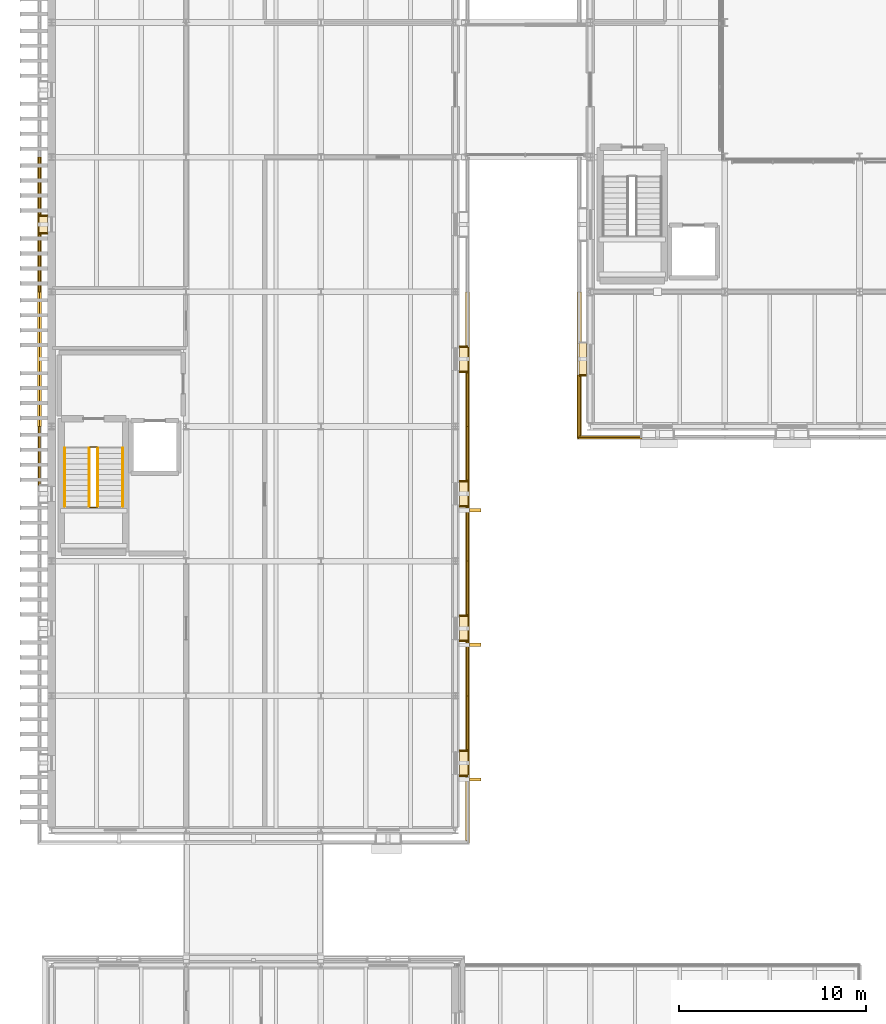
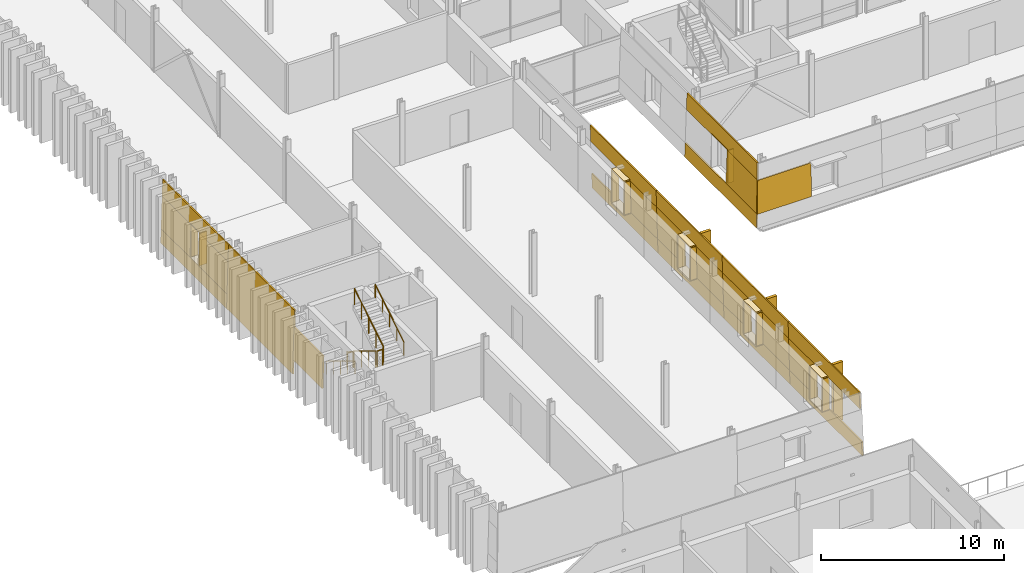
# One storey, part 94 of 115: 46 coverings, 6 railings, 3 shading devices.
"""IFC4 building model written with IfcOpenShell, lengths in metres."""

from ifc_helpers import new_model, si_unit, direction, frame, origin, origin_2d, place, context, subcontext, project, spatial, polyline, rectangle, circle, outline, extrude, material, layer, layer_set, type_object, element, save


model = new_model("IFC4")

# Units and contexts
model_context = context("Model", 3, precision=1e-05, world=origin(), true_north=direction((0.0, 1.0)))
body_context = subcontext(model_context, "Body", "Model", "MODEL_VIEW")
ifc_project = project(units=[si_unit("LENGTHUNIT", "METRE"), si_unit("AREAUNIT", "SQUARE_METRE"), si_unit("VOLUMEUNIT", "CUBIC_METRE"), si_unit("PLANEANGLEUNIT", "RADIAN"), si_unit("MASSUNIT", "GRAM", prefix="KILO")], contexts=[model_context])

# Site, building, storey
site_placement = place(None, origin())
site = spatial("IfcSite", under=ifc_project, at=site_placement, CompositionType="ELEMENT")
building_placement = place(site_placement, origin())
building = spatial("IfcBuilding", under=site, at=building_placement, Name="Narikvali Park Central Library", CompositionType="ELEMENT")
storey_placement = place(building_placement, frame((0.0, 0.0, 10.199951171875)))
storey = spatial("IfcBuildingStorey", under=building, at=storey_placement, Name="L02", CompositionType="ELEMENT", Elevation=10.199951171875)

# Coverings
ifc_material_1 = material(Name="White Honed Limestone Cladding", Category="masonry")
ifc_layer_1 = layer(ifc_material_1, 0.0849609375, Name="White Honed Limestone Cladding")
ifc_layer_set_1 = layer_set([ifc_layer_1], Name="White Honed Limestone Cladding")
covering_type_1 = type_object("IfcCoveringType", Name="Battered White Limestone Facade Cladding Panel", PredefinedType="CLADDING", material=ifc_layer_set_1)
covering_1_placement = place(storey_placement, frame((28.134521484375, 49.734619140625, 0.920166015625), z_axis=(0.0, -0.999435139525, 0.033606574995), x_axis=(1.0, 0.0, 0.0)))
element("IfcCovering", 1, at=covering_1_placement, inside=storey, type_object=covering_type_1, Name="V4 L02 S Battered Limestone Jamb Pier L B01", PredefinedType="CLADDING", context=body_context, shape_type="SweptSolid", body=[
    extrude(outline(polyline([(0.0, 0.0), (3.425537109375, 0.0), (3.425537109375, 2.2011945396684887), (0.07421875, 2.2011945396684887), (0.0, 0.0)])), origin(), (0.0, 0.0, -1.0), 0.0849609375),
])
covering_2_placement = place(storey_placement, frame((28.103515625, 57.60009765625, 0.0), z_axis=(-0.999432774777, 0.0, 0.03367682738), x_axis=(0.0, -1.0, 0.0)))
element("IfcCovering", 2, at=covering_2_placement, inside=storey, type_object=covering_type_1, Name="V4 L02 W Battered Limestone Spandrel B09", PredefinedType="CLADDING", context=body_context, shape_type="SweptSolid", body=[
    extrude(outline(polyline([(0.0, 0.0), (7.8115234375, 0.0), (7.780517578125, 0.9206882532251458), (0.0, 0.9206882532251458), (0.0, 0.0)])), origin(), (0.0, 0.0, -1.0), 0.0849609375),
])
covering_3_placement = place(storey_placement, frame((28.208740234375, 57.60009765625, 3.1201171875), z_axis=(-0.999433057245, 0.0, 0.033668443484), x_axis=(0.0, -1.0, 0.0)))
element("IfcCovering", 3, at=covering_3_placement, inside=storey, type_object=covering_type_1, Name="V4 L02 W Battered Limestone Lintel B09", PredefinedType="CLADDING", context=body_context, shape_type="SweptSolid", body=[
    extrude(outline(polyline([(0.0, 0.0), (7.706298828125, 0.0), (7.669921875, 1.0804465357109745), (0.0, 1.0804465357109745), (0.0, 0.0)])), origin(), (0.0, 0.0, -1.0), 0.0849609375),
])
covering_4_placement = place(storey_placement, frame((28.134521484375, 53.159912109375, 0.920166015625), z_axis=(-0.999431408105, 0.0, 0.033717361898), x_axis=(0.0, -1.0, 0.0)))
element("IfcCovering", 4, at=covering_4_placement, inside=storey, type_object=covering_type_1, Name="V4 L02 W Battered Limestone Jamb Pier R B09", PredefinedType="CLADDING", context=body_context, shape_type="SweptSolid", body=[
    extrude(outline(polyline([(0.0, 0.0), (3.34033203125, 0.0), (3.26611328125, 2.201202757922529), (0.0, 2.201202757922529), (0.0, 0.0)])), origin(), (0.0, 0.0, -1.0), 0.0849609375),
])
covering_5_placement = place(storey_placement, frame((22.3505859375, 28.134521484375, 0.0), z_axis=(0.999600632529, 0.0, 0.02825907725), x_axis=(0.0, 1.0, 0.0)))
element("IfcCovering", 5, at=covering_5_placement, inside=storey, type_object=covering_type_1, Name="V5 L02 E Battered Limestone Spandrel B01", PredefinedType="CLADDING", context=body_context, shape_type="SweptSolid", body=[
    extrude(outline(polyline([(0.0, 0.0), (7.865478515625, 0.0), (7.865478515625, 0.950330703044192), (0.02685546875, 0.950330703044192), (0.0, 0.0)])), origin(), (0.0, 0.0, -1.0), 0.0849609375),
])
covering_6_placement = place(storey_placement, frame((22.2626953125, 28.222412109375, 3.10009765625), z_axis=(0.999596598509, 0.0, 0.028401412788), x_axis=(0.0, 1.0, 0.0)))
element("IfcCovering", 6, at=covering_6_placement, inside=storey, type_object=covering_type_1, Name="V5 L02 E Battered Limestone Lintel B01", PredefinedType="CLADDING", context=body_context, shape_type="SweptSolid", body=[
    extrude(outline(polyline([(0.0, 0.0), (7.777587890625, 0.0), (7.777587890625, 1.1002973772270257), (0.031005859375, 1.1002973772270257), (0.0, 0.0)])), origin(), (0.0, 0.0, -1.0), 0.0849609375),
])
covering_7_placement = place(storey_placement, frame((22.32373046875, 33.0400390625, 0.949951171875), z_axis=(0.99959734633, 0.0, 0.028375080797), x_axis=(0.0, 1.0, 0.0)))
element("IfcCovering", 7, at=covering_7_placement, inside=storey, type_object=covering_type_1, Name="V5 L02 E Battered Limestone Jamb Pier R B01", PredefinedType="CLADDING", context=body_context, shape_type="SweptSolid", body=[
    extrude(outline(polyline([(0.0, 0.0), (2.9599609375, 0.0), (2.9599609375, 2.1510125974918495), (0.0, 2.1510125974918495), (0.0, 0.0)])), origin(), (0.0, 0.0, -1.0), 0.0849609375),
])
covering_8_placement = place(storey_placement, frame((22.3505859375, 36.0, 0.0), z_axis=(0.999600632529, 0.0, 0.02825907725), x_axis=(0.0, 1.0, 0.0)))
element("IfcCovering", 8, at=covering_8_placement, inside=storey, type_object=covering_type_1, Name="V5 L02 E Battered Limestone Spandrel B02", PredefinedType="CLADDING", context=body_context, shape_type="SweptSolid", body=[
    extrude(outline(polyline([(0.0, 0.0), (7.199951171875, 0.0), (7.199951171875, 0.9503307030441919), (0.0, 0.9503307030441919), (0.0, 0.0)])), origin(), (0.0, 0.0, -1.0), 0.0849609375),
])
covering_9_placement = place(storey_placement, frame((22.2626953125, 36.0, 3.10009765625), z_axis=(0.999596598509, 0.0, 0.028401412788), x_axis=(0.0, 1.0, 0.0)))
element("IfcCovering", 9, at=covering_9_placement, inside=storey, type_object=covering_type_1, Name="V5 L02 E Battered Limestone Lintel B02", PredefinedType="CLADDING", context=body_context, shape_type="SweptSolid", body=[
    extrude(outline(polyline([(0.0, 0.0), (7.199951171875, 0.0), (7.199951171875, 1.100297377227026), (0.0, 1.100297377227026), (0.0, 0.0)])), origin(), (0.0, 0.0, -1.0), 0.0849609375),
])
for number, where, z_axis, x_axis, name in (
    (10, (22.32373046875, 36.0, 0.949951171875), (0.99959734633, 0.0, 0.028375080797), (0.0, 1.0, 0.0), "V5 L02 E Battered Limestone Jamb Pier L B02"),
    (11, (22.32373046875, 40.239990234375, 0.949951171875), (0.99959734633, 0.0, 0.028375080797), (0.0, 1.0, 0.0), "V5 L02 E Battered Limestone Jamb Pier R B02"),
):
    element("IfcCovering", number, at=place(storey_placement, frame(where, z_axis=z_axis, x_axis=x_axis)), inside=storey, type_object=covering_type_1, Name=name, PredefinedType="CLADDING", context=body_context, shape_type="SweptSolid", body=[
        extrude(outline(polyline([(0.0, 0.0), (2.9599609375, 0.0), (2.9599609375, 2.1510125974918495), (0.0, 2.1510125974918495), (0.0, 0.0)])), origin(), (0.0, 0.0, -1.0), 0.0849609375),
    ])
covering_10_placement = place(storey_placement, frame((22.3505859375, 43.199951171875, 0.0), z_axis=(0.999600632529, 0.0, 0.02825907725), x_axis=(0.0, 1.0, 0.0)))
element("IfcCovering", 12, at=covering_10_placement, inside=storey, type_object=covering_type_1, Name="V5 L02 E Battered Limestone Spandrel B03", PredefinedType="CLADDING", context=body_context, shape_type="SweptSolid", body=[
    extrude(outline(polyline([(0.0, 0.0), (7.199951171875, 0.0), (7.199951171875, 0.9503307030441919), (0.0, 0.9503307030441919), (0.0, 0.0)])), origin(), (0.0, 0.0, -1.0), 0.0849609375),
])
covering_11_placement = place(storey_placement, frame((22.2626953125, 43.199951171875, 3.10009765625), z_axis=(0.999596598509, 0.0, 0.028401412788), x_axis=(0.0, 1.0, 0.0)))
element("IfcCovering", 13, at=covering_11_placement, inside=storey, type_object=covering_type_1, Name="V5 L02 E Battered Limestone Lintel B03", PredefinedType="CLADDING", context=body_context, shape_type="SweptSolid", body=[
    extrude(outline(polyline([(0.0, 0.0), (7.199951171875, 0.0), (7.199951171875, 1.100297377227026), (0.0, 1.100297377227026), (0.0, 0.0)])), origin(), (0.0, 0.0, -1.0), 0.0849609375),
])
for number, where, z_axis, x_axis, name in (
    (14, (22.32373046875, 43.199951171875, 0.949951171875), (0.99959734633, 0.0, 0.028375080797), (0.0, 1.0, 0.0), "V5 L02 E Battered Limestone Jamb Pier L B03"),
    (15, (22.32373046875, 47.43994140625, 0.949951171875), (0.99959734633, 0.0, 0.028375080797), (0.0, 1.0, 0.0), "V5 L02 E Battered Limestone Jamb Pier R B03"),
):
    element("IfcCovering", number, at=place(storey_placement, frame(where, z_axis=z_axis, x_axis=x_axis)), inside=storey, type_object=covering_type_1, Name=name, PredefinedType="CLADDING", context=body_context, shape_type="SweptSolid", body=[
        extrude(outline(polyline([(0.0, 0.0), (2.9599609375, 0.0), (2.9599609375, 2.1510125974918495), (0.0, 2.1510125974918495), (0.0, 0.0)])), origin(), (0.0, 0.0, -1.0), 0.0849609375),
    ])
covering_12_placement = place(storey_placement, frame((22.3505859375, 50.39990234375, 0.0), z_axis=(0.999600632529, 0.0, 0.02825907725), x_axis=(0.0, 1.0, 0.0)))
element("IfcCovering", 16, at=covering_12_placement, inside=storey, type_object=covering_type_1, Name="V5 L02 E Battered Limestone Spandrel B04", PredefinedType="CLADDING", context=body_context, shape_type="SweptSolid", body=[
    extrude(outline(polyline([(0.0, 0.0), (7.2001953125, 0.0), (7.2001953125, 0.950330703044192), (0.0, 0.950330703044192), (0.0, 0.0)])), origin(), (0.0, 0.0, -1.0), 0.0849609375),
])
covering_13_placement = place(storey_placement, frame((22.2626953125, 50.39990234375, 3.10009765625), z_axis=(0.999596598509, 0.0, 0.028401412788), x_axis=(0.0, 1.0, 0.0)))
element("IfcCovering", 17, at=covering_13_placement, inside=storey, type_object=covering_type_1, Name="V5 L02 E Battered Limestone Lintel B04", PredefinedType="CLADDING", context=body_context, shape_type="SweptSolid", body=[
    extrude(outline(polyline([(0.0, 0.0), (7.2001953125, 0.0), (7.2001953125, 1.1002973772270257), (0.0, 1.1002973772270257), (0.0, 0.0)])), origin(), (0.0, 0.0, -1.0), 0.0849609375),
])
covering_14_placement = place(storey_placement, frame((22.32373046875, 50.39990234375, 0.949951171875), z_axis=(0.99959734633, 0.0, 0.028375080797), x_axis=(0.0, 1.0, 0.0)))
element("IfcCovering", 18, at=covering_14_placement, inside=storey, type_object=covering_type_1, Name="V5 L02 E Battered Limestone Jamb Pier L B04", PredefinedType="CLADDING", context=body_context, shape_type="SweptSolid", body=[
    extrude(outline(polyline([(0.0, 0.0), (2.960205078125, 0.0), (2.960205078125, 2.1510125974918495), (0.0, 2.1510125974918495), (0.0, 0.0)])), origin(), (0.0, 0.0, -1.0), 0.0849609375),
])
covering_15_placement = place(storey_placement, frame((-0.75048828125, 64.800048828125, 0.0), z_axis=(-0.999600632529, 0.0, 0.02825907725), x_axis=(0.0, -1.0, 0.0)))
element("IfcCovering", 19, at=covering_15_placement, inside=storey, type_object=covering_type_1, Name="V5 L02 W Battered Limestone Spandrel B07", PredefinedType="CLADDING", context=body_context, shape_type="SweptSolid", body=[
    extrude(outline(polyline([(0.0, 0.0), (7.199951171875, 0.0), (7.199951171875, 0.9503307030441919), (0.0, 0.9503307030441919), (0.0, 0.0)])), origin(), (0.0, 0.0, -1.0), 0.0849609375),
])
covering_16_placement = place(storey_placement, frame((-0.66259765625, 64.800048828125, 3.10009765625), z_axis=(-0.999602873297, 0.0, 0.028179703642), x_axis=(0.0, -1.0, 0.0)))
element("IfcCovering", 20, at=covering_16_placement, inside=storey, type_object=covering_type_1, Name="V5 L02 W Battered Limestone Lintel B07", PredefinedType="CLADDING", context=body_context, shape_type="SweptSolid", body=[
    extrude(outline(polyline([(0.0, 0.0), (7.199951171875, 0.0), (7.199951171875, 1.1002904703523768), (0.0, 1.1002904703523768), (0.0, 0.0)])), origin(), (0.0, 0.0, -1.0), 0.0849609375),
])
covering_17_placement = place(storey_placement, frame((-0.7236328125, 64.800048828125, 0.949951171875), z_axis=(-0.99959734633, 0.0, 0.028375080797), x_axis=(0.0, -1.0, 0.0)))
element("IfcCovering", 21, at=covering_17_placement, inside=storey, type_object=covering_type_1, Name="V5 L02 W Battered Limestone Jamb Pier L B07", PredefinedType="CLADDING", context=body_context, shape_type="SweptSolid", body=[
    extrude(outline(polyline([(0.0, 0.0), (3.16015625, 0.0), (3.16015625, 2.1510125974918495), (0.0, 2.1510125974918495), (0.0, 0.0)])), origin(), (0.0, 0.0, -1.0), 0.0849609375),
])
covering_18_placement = place(storey_placement, frame((-0.7236328125, 60.760009765625, 0.949951171875), z_axis=(-0.99959734633, 0.0, 0.028375080797), x_axis=(0.0, -1.0, 0.0)))
element("IfcCovering", 22, at=covering_18_placement, inside=storey, type_object=covering_type_1, Name="V5 L02 W Battered Limestone Jamb Pier R B07", PredefinedType="CLADDING", context=body_context, shape_type="SweptSolid", body=[
    extrude(outline(polyline([(0.0, 0.0), (3.159912109375, 0.0), (3.159912109375, 2.1510125974918495), (0.0, 2.1510125974918495), (0.0, 0.0)])), origin(), (0.0, 0.0, -1.0), 0.0849609375),
])
covering_19_placement = place(storey_placement, frame((-0.75048828125, 57.60009765625, 0.0), z_axis=(-0.99959954049, 0.0, 0.028297679255), x_axis=(0.0, -1.0, 0.0)))
element("IfcCovering", 23, at=covering_19_placement, inside=storey, type_object=covering_type_1, Name="V5 L02 W Battered Limestone Panel B08", PredefinedType="CLADDING", context=body_context, shape_type="SweptSolid", body=[
    extrude(outline(polyline([(0.0, 0.0), (7.2001953125, 0.0), (7.2001953125, 4.2016337560681), (0.0, 4.2016337560681), (0.0, 0.0)])), origin(), (0.0, 0.0, -1.0), 0.0849609375),
])
covering_20_placement = place(storey_placement, frame((-0.7236328125, 50.39990234375, 0.949951171875), z_axis=(-0.99959734633, 0.0, 0.028375080797), x_axis=(0.0, -1.0, 0.0)))
element("IfcCovering", 24, at=covering_20_placement, inside=storey, type_object=covering_type_1, Name="V5 L02 W Battered Limestone Jamb Pier L B09", PredefinedType="CLADDING", context=body_context, shape_type="SweptSolid", body=[
    extrude(outline(polyline([(0.0, 0.0), (3.159912109375, 0.0), (3.159912109375, 2.1510125974918495), (0.0, 2.1510125974918495), (0.0, 0.0)])), origin(), (0.0, 0.0, -1.0), 0.0849609375),
])
ifc_layer_2 = layer(ifc_material_1, 0.080078125, Name="White Honed Limestone Cladding")
ifc_layer_set_2 = layer_set([ifc_layer_2], Name="White Honed Limestone Cladding")
covering_type_2 = type_object("IfcCoveringType", Name="Deep Carved White Limestone Window Reveal", PredefinedType="CLADDING", material=ifc_layer_set_2)
covering_21_placement = place(storey_placement, frame((0.0, 0.0, 3.1201171875)))
element("IfcCovering", 25, at=covering_21_placement, inside=storey, type_object=covering_type_2, Name="Deep Stone Reveal Head V4-RVL-L02-W-B09", PredefinedType="CLADDING", context=body_context, shape_type="SweptSolid", body=[
    extrude(outline(polyline([(28.594970703125, 54.8798828125), (28.594970703125, 53.1201171875), (28.208740234375, 53.1201171875), (28.208740234375, 54.8798828125), (28.594970703125, 54.8798828125)])), origin(), (0.0, 0.0, 1.0), 0.079833984375),
])
covering_22_placement = place(storey_placement, frame((0.0, 0.0, 0.920166015625)))
element("IfcCovering", 26, at=covering_22_placement, inside=storey, type_object=covering_type_2, Name="Deep Stone Reveal Jamb R V4-RVL-L02-W-B09", PredefinedType="CLADDING", context=body_context, shape_type="SweptSolid", body=[
    extrude(outline(polyline([(28.594970703125, 53.159912109375), (28.594970703125, 53.080078125), (28.208740234375, 53.080078125), (28.208740234375, 53.159912109375), (28.594970703125, 53.159912109375)])), origin(), (0.0, 0.0, 1.0), 2.199951171875),
])
covering_23_placement = place(storey_placement, frame((0.0, 0.0, 3.10009765625)))
element("IfcCovering", 27, at=covering_23_placement, inside=storey, type_object=covering_type_2, Name="Deep Stone Reveal Head V5-RVL-L02-E-B01", PredefinedType="CLADDING", context=body_context, shape_type="SweptSolid", body=[
    extrude(outline(polyline([(21.804931640625, 31.719970703125), (21.804931640625, 33.080078125), (22.2626953125, 33.080078125), (22.2626953125, 31.719970703125), (21.804931640625, 31.719970703125)])), origin(), (0.0, 0.0, 1.0), 0.079833984375),
])
covering_24_placement = place(storey_placement, frame((0.0, 0.0, 0.8701171875)))
element("IfcCovering", 28, at=covering_24_placement, inside=storey, type_object=covering_type_2, Name="Deep Stone Reveal Sill V5-RVL-L02-E-B01", PredefinedType="CLADDING", context=body_context, shape_type="SweptSolid", body=[
    extrude(outline(polyline([(21.804931640625, 31.719970703125), (21.804931640625, 33.080078125), (22.32373046875, 33.080078125), (22.32373046875, 31.719970703125), (21.804931640625, 31.719970703125)])), origin(), (0.0, 0.0, 1.0), 0.079833984375),
])
covering_25_placement = place(storey_placement, frame((0.0, 0.0, 0.949951171875)))
element("IfcCovering", 29, at=covering_25_placement, inside=storey, type_object=covering_type_2, Name="Deep Stone Reveal Jamb L V5-RVL-L02-E-B01", PredefinedType="CLADDING", context=body_context, shape_type="SweptSolid", body=[
    extrude(outline(polyline([(21.804931640625, 31.679931640625), (21.804931640625, 31.760009765625), (22.2626953125, 31.760009765625), (22.2626953125, 31.679931640625), (21.804931640625, 31.679931640625)])), origin(), (0.0, 0.0, 1.0), 2.150146484375),
])
covering_26_placement = place(storey_placement, frame((0.0, 0.0, 0.949951171875)))
element("IfcCovering", 30, at=covering_26_placement, inside=storey, type_object=covering_type_2, Name="Deep Stone Reveal Jamb R V5-RVL-L02-E-B01", PredefinedType="CLADDING", context=body_context, shape_type="SweptSolid", body=[
    extrude(outline(polyline([(21.804931640625, 33.0400390625), (21.804931640625, 33.1201171875), (22.2626953125, 33.1201171875), (22.2626953125, 33.0400390625), (21.804931640625, 33.0400390625)])), origin(), (0.0, 0.0, 1.0), 2.150146484375),
])
covering_27_placement = place(storey_placement, frame((0.0, 0.0, 3.10009765625)))
element("IfcCovering", 31, at=covering_27_placement, inside=storey, type_object=covering_type_2, Name="Deep Stone Reveal Head V5-RVL-L02-E-B02", PredefinedType="CLADDING", context=body_context, shape_type="SweptSolid", body=[
    extrude(outline(polyline([(21.804931640625, 38.919921875), (21.804931640625, 40.280029296875), (22.2626953125, 40.280029296875), (22.2626953125, 38.919921875), (21.804931640625, 38.919921875)])), origin(), (0.0, 0.0, 1.0), 0.079833984375),
])
covering_28_placement = place(storey_placement, frame((0.0, 0.0, 0.8701171875)))
element("IfcCovering", 32, at=covering_28_placement, inside=storey, type_object=covering_type_2, Name="Deep Stone Reveal Sill V5-RVL-L02-E-B02", PredefinedType="CLADDING", context=body_context, shape_type="SweptSolid", body=[
    extrude(outline(polyline([(21.804931640625, 38.919921875), (21.804931640625, 40.280029296875), (22.32373046875, 40.280029296875), (22.32373046875, 38.919921875), (21.804931640625, 38.919921875)])), origin(), (0.0, 0.0, 1.0), 0.079833984375),
])
covering_29_placement = place(storey_placement, frame((0.0, 0.0, 0.949951171875)))
element("IfcCovering", 33, at=covering_29_placement, inside=storey, type_object=covering_type_2, Name="Deep Stone Reveal Jamb L V5-RVL-L02-E-B02", PredefinedType="CLADDING", context=body_context, shape_type="SweptSolid", body=[
    extrude(outline(polyline([(21.804931640625, 38.8798828125), (21.804931640625, 38.9599609375), (22.2626953125, 38.9599609375), (22.2626953125, 38.8798828125), (21.804931640625, 38.8798828125)])), origin(), (0.0, 0.0, 1.0), 2.150146484375),
])
covering_30_placement = place(storey_placement, frame((0.0, 0.0, 0.949951171875)))
element("IfcCovering", 34, at=covering_30_placement, inside=storey, type_object=covering_type_2, Name="Deep Stone Reveal Jamb R V5-RVL-L02-E-B02", PredefinedType="CLADDING", context=body_context, shape_type="SweptSolid", body=[
    extrude(outline(polyline([(21.804931640625, 40.239990234375), (21.804931640625, 40.320068359375), (22.2626953125, 40.320068359375), (22.2626953125, 40.239990234375), (21.804931640625, 40.239990234375)])), origin(), (0.0, 0.0, 1.0), 2.150146484375),
])
covering_31_placement = place(storey_placement, frame((0.0, 0.0, 3.10009765625)))
element("IfcCovering", 35, at=covering_31_placement, inside=storey, type_object=covering_type_2, Name="Deep Stone Reveal Head V5-RVL-L02-E-B03", PredefinedType="CLADDING", context=body_context, shape_type="SweptSolid", body=[
    extrude(outline(polyline([(21.804931640625, 46.1201171875), (21.804931640625, 47.47998046875), (22.2626953125, 47.47998046875), (22.2626953125, 46.1201171875), (21.804931640625, 46.1201171875)])), origin(), (0.0, 0.0, 1.0), 0.079833984375),
])
covering_32_placement = place(storey_placement, frame((0.0, 0.0, 0.8701171875)))
element("IfcCovering", 36, at=covering_32_placement, inside=storey, type_object=covering_type_2, Name="Deep Stone Reveal Sill V5-RVL-L02-E-B03", PredefinedType="CLADDING", context=body_context, shape_type="SweptSolid", body=[
    extrude(outline(polyline([(21.804931640625, 46.1201171875), (21.804931640625, 47.47998046875), (22.32373046875, 47.47998046875), (22.32373046875, 46.1201171875), (21.804931640625, 46.1201171875)])), origin(), (0.0, 0.0, 1.0), 0.079833984375),
])
covering_33_placement = place(storey_placement, frame((0.0, 0.0, 0.949951171875)))
element("IfcCovering", 37, at=covering_33_placement, inside=storey, type_object=covering_type_2, Name="Deep Stone Reveal Jamb L V5-RVL-L02-E-B03", PredefinedType="CLADDING", context=body_context, shape_type="SweptSolid", body=[
    extrude(outline(polyline([(21.804931640625, 46.080078125), (21.804931640625, 46.159912109375), (22.2626953125, 46.159912109375), (22.2626953125, 46.080078125), (21.804931640625, 46.080078125)])), origin(), (0.0, 0.0, 1.0), 2.150146484375),
])
covering_34_placement = place(storey_placement, frame((0.0, 0.0, 0.949951171875)))
element("IfcCovering", 38, at=covering_34_placement, inside=storey, type_object=covering_type_2, Name="Deep Stone Reveal Jamb R V5-RVL-L02-E-B03", PredefinedType="CLADDING", context=body_context, shape_type="SweptSolid", body=[
    extrude(outline(polyline([(21.804931640625, 47.43994140625), (21.804931640625, 47.52001953125), (22.2626953125, 47.52001953125), (22.2626953125, 47.43994140625), (21.804931640625, 47.43994140625)])), origin(), (0.0, 0.0, 1.0), 2.150146484375),
])
covering_35_placement = place(storey_placement, frame((0.0, 0.0, 3.10009765625)))
element("IfcCovering", 39, at=covering_35_placement, inside=storey, type_object=covering_type_2, Name="Deep Stone Reveal Head V5-RVL-L02-E-B04", PredefinedType="CLADDING", context=body_context, shape_type="SweptSolid", body=[
    extrude(outline(polyline([(21.804931640625, 53.320068359375), (21.804931640625, 54.679931640625), (22.2626953125, 54.679931640625), (22.2626953125, 53.320068359375), (21.804931640625, 53.320068359375)])), origin(), (0.0, 0.0, 1.0), 0.079833984375),
])
covering_36_placement = place(storey_placement, frame((0.0, 0.0, 0.8701171875)))
element("IfcCovering", 40, at=covering_36_placement, inside=storey, type_object=covering_type_2, Name="Deep Stone Reveal Sill V5-RVL-L02-E-B04", PredefinedType="CLADDING", context=body_context, shape_type="SweptSolid", body=[
    extrude(outline(polyline([(21.804931640625, 53.320068359375), (21.804931640625, 54.679931640625), (22.32373046875, 54.679931640625), (22.32373046875, 53.320068359375), (21.804931640625, 53.320068359375)])), origin(), (0.0, 0.0, 1.0), 0.079833984375),
])
covering_37_placement = place(storey_placement, frame((0.0, 0.0, 0.949951171875)))
element("IfcCovering", 41, at=covering_37_placement, inside=storey, type_object=covering_type_2, Name="Deep Stone Reveal Jamb L V5-RVL-L02-E-B04", PredefinedType="CLADDING", context=body_context, shape_type="SweptSolid", body=[
    extrude(outline(polyline([(21.804931640625, 53.280029296875), (21.804931640625, 53.360107421875), (22.2626953125, 53.360107421875), (22.2626953125, 53.280029296875), (21.804931640625, 53.280029296875)])), origin(), (0.0, 0.0, 1.0), 2.150146484375),
])
covering_38_placement = place(storey_placement, frame((0.0, 0.0, 0.949951171875)))
element("IfcCovering", 42, at=covering_38_placement, inside=storey, type_object=covering_type_2, Name="Deep Stone Reveal Jamb R V5-RVL-L02-E-B04", PredefinedType="CLADDING", context=body_context, shape_type="SweptSolid", body=[
    extrude(outline(polyline([(21.804931640625, 54.639892578125), (21.804931640625, 54.719970703125), (22.2626953125, 54.719970703125), (22.2626953125, 54.639892578125), (21.804931640625, 54.639892578125)])), origin(), (0.0, 0.0, 1.0), 2.150146484375),
])
covering_39_placement = place(storey_placement, frame((0.0, 0.0, 3.10009765625)))
element("IfcCovering", 43, at=covering_39_placement, inside=storey, type_object=covering_type_2, Name="Deep Stone Reveal Head V5-RVL-L02-W-B07", PredefinedType="CLADDING", context=body_context, shape_type="SweptSolid", body=[
    extrude(outline(polyline([(-0.205078125, 61.679931640625), (-0.205078125, 60.719970703125), (-0.66259765625, 60.719970703125), (-0.66259765625, 61.679931640625), (-0.205078125, 61.679931640625)])), origin(), (0.0, 0.0, 1.0), 0.079833984375),
])
covering_40_placement = place(storey_placement, frame((0.0, 0.0, 0.8701171875)))
element("IfcCovering", 44, at=covering_40_placement, inside=storey, type_object=covering_type_2, Name="Deep Stone Reveal Sill V5-RVL-L02-W-B07", PredefinedType="CLADDING", context=body_context, shape_type="SweptSolid", body=[
    extrude(outline(polyline([(-0.205078125, 61.679931640625), (-0.205078125, 60.719970703125), (-0.7236328125, 60.719970703125), (-0.7236328125, 61.679931640625), (-0.205078125, 61.679931640625)])), origin(), (0.0, 0.0, 1.0), 0.079833984375),
])
covering_41_placement = place(storey_placement, frame((0.0, 0.0, 0.949951171875)))
element("IfcCovering", 45, at=covering_41_placement, inside=storey, type_object=covering_type_2, Name="Deep Stone Reveal Jamb L V5-RVL-L02-W-B07", PredefinedType="CLADDING", context=body_context, shape_type="SweptSolid", body=[
    extrude(outline(polyline([(-0.205078125, 61.719970703125), (-0.205078125, 61.639892578125), (-0.66259765625, 61.639892578125), (-0.66259765625, 61.719970703125), (-0.205078125, 61.719970703125)])), origin(), (0.0, 0.0, 1.0), 2.150146484375),
])
covering_42_placement = place(storey_placement, frame((0.0, 0.0, 0.949951171875)))
element("IfcCovering", 46, at=covering_42_placement, inside=storey, type_object=covering_type_2, Name="Deep Stone Reveal Jamb R V5-RVL-L02-W-B07", PredefinedType="CLADDING", context=body_context, shape_type="SweptSolid", body=[
    extrude(outline(polyline([(-0.205078125, 60.760009765625), (-0.205078125, 60.679931640625), (-0.66259765625, 60.679931640625), (-0.66259765625, 60.760009765625), (-0.205078125, 60.760009765625)])), origin(), (0.0, 0.0, 1.0), 2.150146484375),
])

# Railings
ifc_material_2 = material(Name="Brushed Stainless Steel S355", Category="steel")
ifc_layer_3 = layer(ifc_material_2, 0.044921875, Name="Brushed Stainless Steel S355")
ifc_layer_set_3 = layer_set([ifc_layer_3], Name="Brushed Stainless Steel S355")
railing_type_1 = type_object("IfcRailingType", Name="Stair Tubular Steel Handrail 900", PredefinedType="HANDRAIL", material=ifc_layer_set_3)
railing_1_placement = place(storey_placement, frame((0.699951171875, 49.25, 0.175048828125)))
element("IfcRailing", 47, at=railing_1_placement, inside=storey, type_object=railing_type_1, Name="L02 ST-09 stair handrail 1", PredefinedType="HANDRAIL", context=body_context, shape_type="SweptSolid", body=[
    extrude(circle(Radius=0.02392578125, at=origin_2d()), frame((0.0, 0.0, 0.8759765625), z_axis=(0.0, -0.852166034122, 0.523271488128), x_axis=(1.0, 0.0, 0.0)), (0.0, 0.0, 1.0), 3.678955078125),
    extrude(circle(Radius=0.02099609375, at=origin_2d()), origin(), (0.0, 0.0, 1.0), 0.851806640625),
    extrude(circle(Radius=0.02099609375, at=origin_2d()), frame((0.0, -0.78369140625, 0.481201171875)), (0.0, 0.0, 1.0), 0.851806640625),
    extrude(circle(Radius=0.02099609375, at=origin_2d()), frame((0.0, -1.5673828125, 0.96240234375)), (0.0, 0.0, 1.0), 0.851806640625),
    extrude(circle(Radius=0.02099609375, at=origin_2d()), frame((0.0, -2.351318359375, 1.44384765625)), (0.0, 0.0, 1.0), 0.851806640625),
    extrude(circle(Radius=0.02099609375, at=origin_2d()), frame((0.0, -3.135009765625, 1.925048828125)), (0.0, 0.0, 1.0), 0.851806640625),
])
railing_2_placement = place(storey_placement, frame((3.800048828125, 46.114990234375, 2.275146484375)))
element("IfcRailing", 48, at=railing_2_placement, inside=storey, type_object=railing_type_1, Name="L02 ST-09 stair handrail 2", PredefinedType="HANDRAIL", context=body_context, shape_type="SweptSolid", body=[
    extrude(circle(Radius=0.02392578125, at=origin_2d()), frame((0.0, 0.0, 0.8759765625), z_axis=(0.0, 0.852195625947, 0.523223293744), x_axis=(-1.0, 0.0, 0.0)), (0.0, 0.0, 1.0), 3.6787109375),
    extrude(circle(Radius=0.02099609375, at=origin_2d()), origin(), (0.0, 0.0, 1.0), 0.851806640625),
    extrude(circle(Radius=0.02099609375, at=origin_2d()), frame((0.0, 0.78369140625, 0.481201171875)), (0.0, 0.0, 1.0), 0.851806640625),
    extrude(circle(Radius=0.02099609375, at=origin_2d()), frame((0.0, 1.5673828125, 0.96240234375)), (0.0, 0.0, 1.0), 0.851806640625),
    extrude(circle(Radius=0.02099609375, at=origin_2d()), frame((0.0, 2.351318359375, 1.443603515625)), (0.0, 0.0, 1.0), 0.851806640625),
    extrude(circle(Radius=0.02099609375, at=origin_2d()), frame((0.0, 3.135009765625, 1.9248046875)), (0.0, 0.0, 1.0), 0.851806640625),
])
ifc_material_3 = material(Name="Powder-Coated Steel S275", Category="steel")
ifc_layer_4 = layer(ifc_material_3, 0.050048828125, Name="Powder-Coated Steel S275")
ifc_layer_set_4 = layer_set([ifc_layer_4], Name="Powder-Coated Steel S275")
railing_type_2 = type_object("IfcRailingType", Name="Stair Well Steel Guardrail 1100", PredefinedType="GUARDRAIL", material=ifc_layer_set_4)
railing_3_placement = place(storey_placement, frame((2.02001953125, 49.25, 0.175048828125)))
element("IfcRailing", 49, at=railing_3_placement, inside=storey, type_object=railing_type_2, Name="L02 ST-09 stair guard 1", PredefinedType="GUARDRAIL", context=body_context, shape_type="SweptSolid", body=[
    extrude(circle(Radius=0.02392578125, at=origin_2d()), frame((0.0, 0.0, 1.076171875), z_axis=(0.0, -0.852166034122, 0.523271488128), x_axis=(1.0, 0.0, 0.0)), (0.0, 0.0, 1.0), 3.678955078125),
    extrude(circle(Radius=0.02099609375, at=origin_2d()), origin(), (0.0, 0.0, 1.0), 1.052001953125),
    extrude(circle(Radius=0.02099609375, at=origin_2d()), frame((0.0, -0.78369140625, 0.481201171875)), (0.0, 0.0, 1.0), 1.052001953125),
    extrude(circle(Radius=0.02099609375, at=origin_2d()), frame((0.0, -1.5673828125, 0.96240234375)), (0.0, 0.0, 1.0), 1.052001953125),
    extrude(circle(Radius=0.02099609375, at=origin_2d()), frame((0.0, -2.351318359375, 1.44384765625)), (0.0, 0.0, 1.0), 1.052001953125),
    extrude(circle(Radius=0.02099609375, at=origin_2d()), frame((0.0, -3.135009765625, 1.925048828125)), (0.0, 0.0, 1.0), 1.052001953125),
])
railing_4_placement = place(storey_placement, frame((2.070068359375, 46.06494140625, 2.10009765625)))
element("IfcRailing", 50, at=railing_4_placement, inside=storey, type_object=railing_type_2, Name="L02 ST-09 stair guard 2", PredefinedType="GUARDRAIL", context=body_context, shape_type="SweptSolid", body=[
    extrude(circle(Radius=0.02392578125, at=origin_2d()), frame((0.0, 0.0, 1.076171875), z_axis=(1.0, 0.0, 0.0), x_axis=(0.0, 1.0, 0.0)), (0.0, 0.0, 1.0), 0.35986328125),
    extrude(circle(Radius=0.02099609375, at=origin_2d()), origin(), (0.0, 0.0, 1.0), 1.052001953125),
    extrude(circle(Radius=0.02099609375, at=origin_2d()), frame((0.35986328125, 0.0, 0.0)), (0.0, 0.0, 1.0), 1.052001953125),
])
railing_5_placement = place(storey_placement, frame((2.47998046875, 46.114990234375, 2.275146484375)))
element("IfcRailing", 51, at=railing_5_placement, inside=storey, type_object=railing_type_2, Name="L02 ST-09 stair guard 3", PredefinedType="GUARDRAIL", context=body_context, shape_type="SweptSolid", body=[
    extrude(circle(Radius=0.02392578125, at=origin_2d()), frame((0.0, 0.0, 1.076171875), z_axis=(0.0, 0.852195625947, 0.523223293744), x_axis=(-1.0, 0.0, 0.0)), (0.0, 0.0, 1.0), 3.6787109375),
    extrude(circle(Radius=0.02099609375, at=origin_2d()), origin(), (0.0, 0.0, 1.0), 1.052001953125),
    extrude(circle(Radius=0.02099609375, at=origin_2d()), frame((0.0, 0.78369140625, 0.481201171875)), (0.0, 0.0, 1.0), 1.052001953125),
    extrude(circle(Radius=0.02099609375, at=origin_2d()), frame((0.0, 1.5673828125, 0.96240234375)), (0.0, 0.0, 1.0), 1.052001953125),
    extrude(circle(Radius=0.02099609375, at=origin_2d()), frame((0.0, 2.351318359375, 1.443603515625)), (0.0, 0.0, 1.0), 1.052001953125),
    extrude(circle(Radius=0.02099609375, at=origin_2d()), frame((0.0, 3.135009765625, 1.9248046875)), (0.0, 0.0, 1.0), 1.052001953125),
])
railing_6_placement = place(storey_placement, frame((2.070068359375, 49.300048828125, 0.0)))
element("IfcRailing", 52, at=railing_6_placement, inside=storey, type_object=railing_type_2, Name="L02 ST-09 stair guard 4", PredefinedType="GUARDRAIL", context=body_context, shape_type="SweptSolid", body=[
    extrude(circle(Radius=0.02392578125, at=origin_2d()), frame((0.0, 0.0, 1.076171875), z_axis=(1.0, 0.0, 0.0), x_axis=(0.0, 1.0, 0.0)), (0.0, 0.0, 1.0), 0.35986328125),
    extrude(circle(Radius=0.02099609375, at=origin_2d()), origin(), (0.0, 0.0, 1.0), 1.052001953125),
    extrude(circle(Radius=0.02099609375, at=origin_2d()), frame((0.35986328125, 0.0, 0.0)), (0.0, 0.0, 1.0), 1.052001953125),
])

# Shading devices
ifc_material_4 = material(Name="Kiln-Fired Terracotta Red Brick", Category="masonry")
ifc_layer_5 = layer(ifc_material_4, 0.179931640625, Name="Kiln-Fired Terracotta Red Brick")
ifc_layer_set_5 = layer_set([ifc_layer_5], Name="Kiln-Fired Terracotta Red Brick")
shading_device_type = type_object("IfcShadingDeviceType", Name="Terracotta Red Brick Vertical Sun Fin 620x180", PredefinedType="JALOUSIE", material=ifc_layer_set_5)
for number, where, z_axis, x_axis, name in (
    (53, (22.66259765625, 31.52001953125, 0.150146484375), (0.0, 0.0, 1.0), (1.0, 0.0, 0.0), "West Stacks Red Brick Sun Louver 003"),
    (54, (22.66259765625, 38.719970703125, 0.150146484375), (0.0, 0.0, 1.0), (1.0, 0.0, 0.0), "West Stacks Red Brick Sun Louver 007"),
    (55, (22.66259765625, 45.919921875, 0.150146484375), (0.0, 0.0, 1.0), (1.0, 0.0, 0.0), "West Stacks Red Brick Sun Louver 011"),
):
    element("IfcShadingDevice", number, at=place(storey_placement, frame(where, z_axis=z_axis, x_axis=x_axis)), inside=storey, type_object=shading_device_type, Name=name, PredefinedType="JALOUSIE", context=body_context, shape_type="SweptSolid", body=[
        extrude(rectangle(XDim=0.6201171875, YDim=0.179931640625, at=origin_2d()), origin(), (0.0, 0.0, 1.0), 3.89990234375),
    ])

save(model, "model.ifc")
